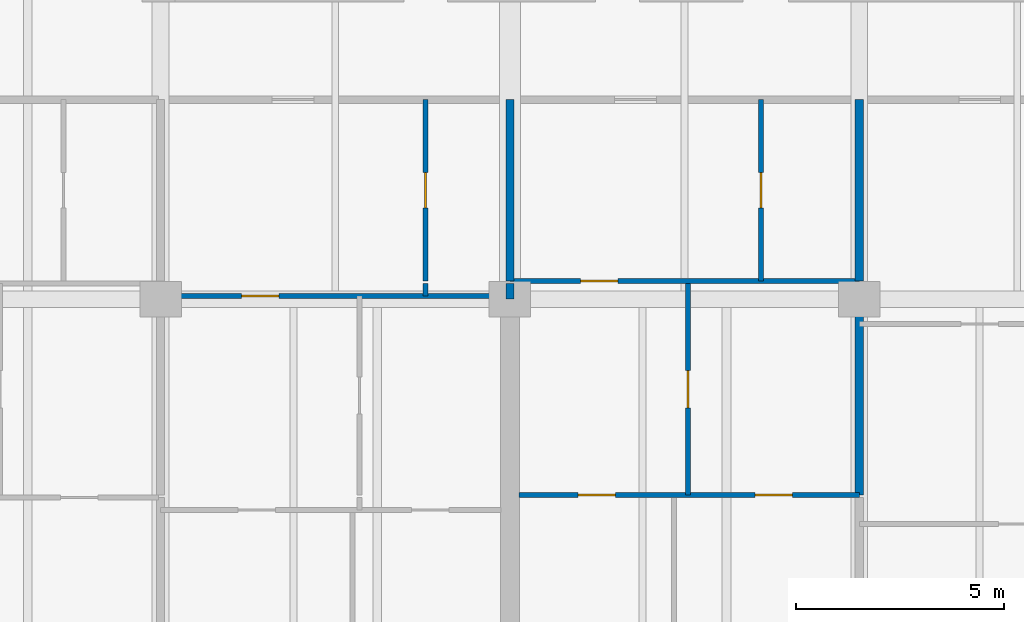
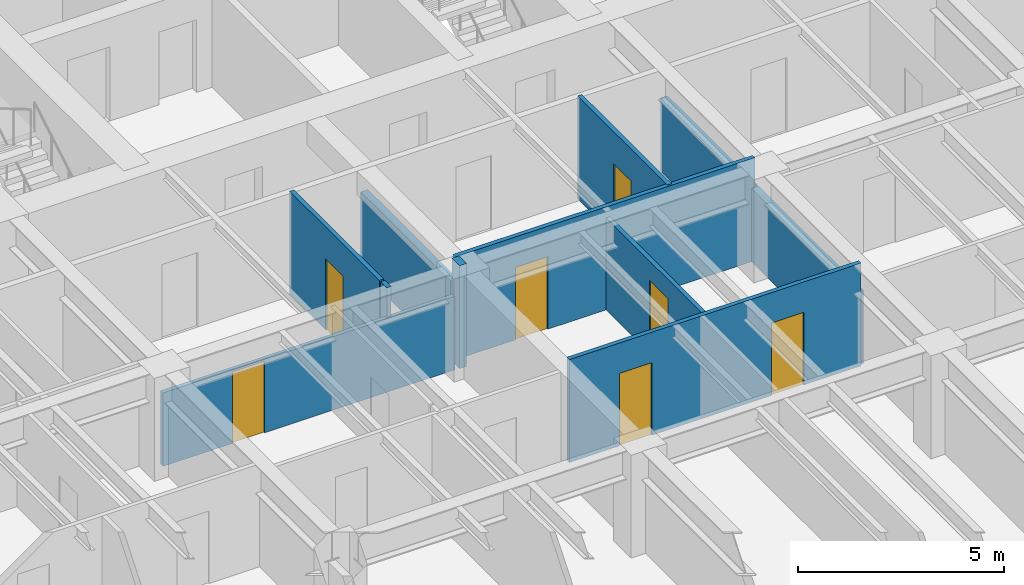
# One storey, part 7 of 16: 11 walls, 7 doors, 7 openings.
"""IFC4 building model written with IfcOpenShell, lengths in metres."""

import ifcopenshell
import ifcopenshell.guid

model = None  # the IFC model being written
_history = None  # IfcOwnerHistory: only IFC2X3 demands one
_inside = {}  # id of a spatial element -> (the spatial element, [elements in it])
_under = {}  # id of a project, library or spatial element -> (it, [spatial elements below it])
_declared = {}  # id of a project -> (the project, [libraries it declares])
_typed = {}  # id of a type object -> (the type object, [elements of that type])
_made_of = {}  # id of a material, layer set ... -> (it, [elements and type objects made of it])


def new_model(schema):
    """Start an empty IFC model of exactly this schema.

    Asked for "IFC4X3", IfcOpenShell would pick the latest addendum, in which some entities
    have other attributes; the version numbers below select the first issue.
    IFC2X3 requires an IfcOwnerHistory on every rooted entity: one is made here for all.
    """
    global model, _history
    if schema == "IFC4X3":
        model = ifcopenshell.file(schema_version=(4, 3, 0, 0))
    else:
        model = ifcopenshell.file(schema=schema)
    _inside.clear()
    _under.clear()
    _declared.clear()
    _typed.clear()
    _made_of.clear()
    _history = None
    if model.schema == "IFC2X3":
        org = make("IfcOrganization", Name="unknown")
        user = make(
            "IfcPersonAndOrganization",
            ThePerson=make("IfcPerson", FamilyName="unknown"),
            TheOrganization=org,
        )
        app = make(
            "IfcApplication",
            ApplicationDeveloper=org,
            Version="unknown",
            ApplicationFullName="unknown",
            ApplicationIdentifier="unknown",
        )
        _history = make(
            "IfcOwnerHistory",
            OwningUser=user,
            OwningApplication=app,
            ChangeAction="ADDED",
            CreationDate=0,
        )
    return model


def make(cls, **values):
    """One entity of the class cls with the attributes given. An attribute that is None is left unset."""
    return model.create_entity(
        cls, **{name: value for name, value in values.items() if value is not None}
    )


def rooted(cls, **values):
    """An entity with a GlobalId (a new one), such as an element, a storey or a relation."""
    return make(cls, GlobalId=ifcopenshell.guid.new(), OwnerHistory=_history, **values)


def si_unit(unit_type, name, prefix=None):
    """IfcSIUnit, for example si_unit("LENGTHUNIT", "METRE", prefix="MILLI")."""
    return make("IfcSIUnit", UnitType=unit_type, Prefix=prefix, Name=name)


def assignment(units):
    """IfcUnitAssignment: the units of a project."""
    return None if units is None else make("IfcUnitAssignment", Units=units)


def point(xyz):
    """IfcCartesianPoint."""
    return None if xyz is None else make("IfcCartesianPoint", Coordinates=xyz)


def direction(xyz):
    """IfcDirection."""
    return None if xyz is None else make("IfcDirection", DirectionRatios=xyz)


def frame(location, z_axis=None, x_axis=None):
    """IfcAxis2Placement3D, a coordinate frame: its origin and axes. An axis left out is left unset."""
    return make(
        "IfcAxis2Placement3D",
        Location=point(location),
        Axis=direction(z_axis),
        RefDirection=direction(x_axis),
    )


def frame_2d(location, x_axis=None):
    """IfcAxis2Placement2D, a coordinate frame in the plane: its origin and x axis."""
    return make(
        "IfcAxis2Placement2D", Location=point(location), RefDirection=direction(x_axis)
    )


def origin():
    """The frame at (0, 0, 0) with its axes left unset."""
    return frame((0.0, 0.0, 0.0))


def place(relative_to, where):
    """IfcLocalPlacement: puts the frame where relative to a parent placement (None: the world)."""
    return make(
        "IfcLocalPlacement", PlacementRelTo=relative_to, RelativePlacement=where
    )


def context(
    kind, dimensions, precision=None, world=None, true_north=None, identifier=None
):
    """IfcGeometricRepresentationContext, for example the 3D "Model" context."""
    return make(
        "IfcGeometricRepresentationContext",
        ContextIdentifier=identifier,
        ContextType=kind,
        CoordinateSpaceDimension=dimensions,
        Precision=precision,
        WorldCoordinateSystem=world,
        TrueNorth=true_north,
    )


def subcontext(parent, identifier, kind, view, scale=None):
    """IfcGeometricRepresentationSubContext, for example "Body" below "Model"."""
    return make(
        "IfcGeometricRepresentationSubContext",
        ContextIdentifier=identifier,
        ContextType=kind,
        ParentContext=parent,
        TargetScale=scale,
        TargetView=view,
    )


def project(units=None, contexts=None):
    """IfcProject with its units and contexts."""
    return rooted(
        "IfcProject",
        Name="project",
        RepresentationContexts=contexts,
        UnitsInContext=assignment(units),
    )


def spatial(cls, under=None, at=None, **own):
    """A site, building, storey or space (cls), placed at a placement, below another one or the project."""
    s = rooted(cls, ObjectPlacement=at, **own)
    if under is not None:
        _under.setdefault(under.id(), (under, []))[1].append(s)
    return s


def profile(cls, at=None, kind="AREA", **sizes):
    """A parametric profile (cls). Its sizes go by their IFC names, for example OverallWidth=200.0."""
    return make(cls, ProfileType=kind, Position=at, **sizes)


def rectangle(**sizes):
    """IfcRectangleProfileDef."""
    return profile("IfcRectangleProfileDef", **sizes)


def extrude(swept, where, along, depth):
    """IfcExtrudedAreaSolid: the profile swept, set in the frame where, extruded along a direction by depth."""
    return make(
        "IfcExtrudedAreaSolid",
        SweptArea=swept,
        Position=where,
        ExtrudedDirection=direction(along),
        Depth=depth,
    )


def shape(context_of_items, identifier, shape_type, items):
    """IfcShapeRepresentation: the items that make up one representation, for example the "Body"."""
    return make(
        "IfcShapeRepresentation",
        ContextOfItems=context_of_items,
        RepresentationIdentifier=identifier,
        RepresentationType=shape_type,
        Items=items,
    )


def material(Name=None, Category=None):
    """IfcMaterial."""
    return make("IfcMaterial", Name=Name, Category=Category)


def layer(
    of_material, thickness, ventilated=None, Name=None, Category=None, Priority=None
):
    """IfcMaterialLayer: one layer of a wall or slab, of a material (None: an air gap)."""
    return make(
        "IfcMaterialLayer",
        Material=of_material,
        LayerThickness=thickness,
        IsVentilated=ventilated,
        Name=Name,
        Category=Category,
        Priority=Priority,
    )


def layer_set(layers, Name=None):
    """IfcMaterialLayerSet."""
    return make("IfcMaterialLayerSet", MaterialLayers=layers, LayerSetName=Name)


def made_of(thing, what):
    """Note that an element or type object is made of a material, layer set ...; save() writes the relation."""
    if what is not None:
        _made_of.setdefault(what.id(), (what, []))[1].append(thing)
    return thing


def type_object(cls, material=None, **own):
    """A type object (cls), such as IfcWallType, which elements share."""
    return made_of(rooted(cls, **own), material)


def element(
    cls,
    number,
    at=None,
    inside=None,
    cuts=None,
    type_object=None,
    material=None,
    context=None,
    identifier="Body",
    shape_type=None,
    held_by="IfcProductDefinitionShape",
    body=None,
    shapes=None,
    **own,
):
    """One element of the class cls, such as IfcWall. Its Tag is "e" and its number.

    at: its placement. inside: the storey or other place that contains it. cuts: it is an
    opening in that element (IfcRelVoidsElement). A single representation is given by context,
    identifier, shape_type and body (its items); several are given by shapes. held_by: the class
    of the entity that holds the representations. save() writes the other relations.
    """
    e = rooted(cls, Tag="e%d" % number, ObjectPlacement=at, **own)
    if body is not None:
        shapes = [shape(context, identifier, shape_type, body)]
    if shapes is not None:
        e.Representation = make(held_by, Representations=shapes)
    if inside is not None:
        _inside.setdefault(inside.id(), (inside, []))[1].append(e)
    if cuts is not None:
        rooted(
            "IfcRelVoidsElement", RelatingBuildingElement=cuts, RelatedOpeningElement=e
        )
    if type_object is not None:
        _typed.setdefault(type_object.id(), (type_object, []))[1].append(e)
    return made_of(e, material)


def fill(opening, filler):
    """IfcRelFillsElement: the door or window that sits in an opening."""
    return rooted(
        "IfcRelFillsElement",
        RelatingOpeningElement=opening,
        RelatedBuildingElement=filler,
    )


def aggregate(whole, parts):
    """IfcRelAggregates: a whole, such as a stair, and the parts it consists of."""
    return rooted("IfcRelAggregates", RelatingObject=whole, RelatedObjects=parts)


def save(model, path):
    """Write the relations noted so far, then the file.

    IfcRelAggregates (storeys below a building ...), IfcRelContainedInSpatialStructure (elements
    in a storey), IfcRelDefinesByType, IfcRelAssociatesMaterial and IfcRelDeclares: one each for
    every whole, place, type object, material and project.
    """
    for whole, parts in _under.values():
        aggregate(whole, parts)
    for where, things in _inside.values():
        rooted(
            "IfcRelContainedInSpatialStructure",
            RelatedElements=things,
            RelatingStructure=where,
        )
    for kind, things in _typed.values():
        rooted("IfcRelDefinesByType", RelatedObjects=things, RelatingType=kind)
    for what, things in _made_of.values():
        rooted("IfcRelAssociatesMaterial", RelatedObjects=things, RelatingMaterial=what)
    for by, libraries in _declared.values():
        rooted("IfcRelDeclares", RelatingContext=by, RelatedDefinitions=libraries)
    model.write(path)


model = new_model("IFC4")

# Units and contexts
model_context = context("Model", 3, precision=1e-05, world=origin(), true_north=direction((0.0, 1.0)))
body_context = subcontext(model_context, "Body", "Model", "MODEL_VIEW")
ifc_project = project(units=[si_unit("LENGTHUNIT", "METRE"), si_unit("AREAUNIT", "SQUARE_METRE"), si_unit("VOLUMEUNIT", "CUBIC_METRE"), si_unit("PLANEANGLEUNIT", "RADIAN"), si_unit("MASSUNIT", "GRAM", prefix="KILO")], contexts=[model_context])

# Site, building, storey
site_placement = place(None, origin())
site = spatial("IfcSite", under=ifc_project, at=site_placement, CompositionType="ELEMENT")
building_placement = place(site_placement, origin())
building = spatial("IfcBuilding", under=site, at=building_placement, Name="Caelmar Bay Residences", CompositionType="ELEMENT")
storey_placement = place(building_placement, frame((0.0, 0.0, 142.199951171875)))
storey = spatial("IfcBuildingStorey", under=building, at=storey_placement, Name="L39", CompositionType="ELEMENT", Elevation=142.199951171875)

# Wall
ifc_material_1 = material(Name="Acoustic metal-stud gypsum partition 120 mm")
ifc_layer_1 = layer(ifc_material_1, 0.1201171875)
ifc_layer_set_1 = layer_set([ifc_layer_1], Name="Acoustic metal-stud gypsum partition 120 mm")
wall_type_1 = type_object("IfcWallType", Name="W-PRT-120", PredefinedType="PARTITIONING", material=ifc_layer_set_1)
wall_1_placement = place(storey_placement, frame((24.666015625, 29.47998046875, 0.0), z_axis=(0.0, 0.0, 1.0), x_axis=(0.0, 1.0, 0.0)))
element("IfcWall", 1, at=wall_1_placement, inside=storey, type_object=wall_type_1, Name="L39 Partition Wall V026", PredefinedType="PARTITIONING", context=body_context, shape_type="SweptSolid", body=[
    extrude(rectangle(XDim=0.300048828125, YDim=0.1201171875, at=frame_2d((0.14990234375, 0.0))), origin(), (0.0, 0.0, 1.0), 3.050048828125),
])

# Wall, opening, door
wall_2_placement = place(storey_placement, frame((24.666015625, 29.840087890625, 0.0), z_axis=(0.0, 0.0, 1.0), x_axis=(0.0, 1.0, 0.0)))
wall_2 = element("IfcWall", 2, at=wall_2_placement, inside=storey, type_object=wall_type_1, Name="L39 Partition Wall V027", PredefinedType="PARTITIONING", context=body_context, shape_type="SweptSolid", body=[
    extrude(rectangle(XDim=4.35986328125, YDim=0.1201171875, at=frame_2d((2.179931640625, 0.0))), origin(), (0.0, 0.0, 1.0), 3.050048828125),
])
opening_1_placement = place(wall_2_placement, frame((1.7548828125, 0.0, 0.0)))
opening_1 = element("IfcOpeningElement", 3, at=opening_1_placement, cuts=wall_2, Name="Opening D-L39-130", PredefinedType="OPENING", context=body_context, shape_type="SweptSolid", body=[
    extrude(rectangle(XDim=0.85009765625, YDim=2.10009765625, at=frame_2d((0.425048828125, 1.050048828125))), frame((0.0, 0.070068359375, 0.0), z_axis=(0.0, -1.0, 0.0), x_axis=(1.0, 0.0, 0.0)), (0.0, 0.0, 1.0), 0.14013671875),
])
ifc_material_2 = material(Name="Solid walnut timber interior door leaf and frame", Category="wood")
ifc_layer_2 = layer(ifc_material_2, 0.050048828125)
ifc_layer_set_2 = layer_set([ifc_layer_2], Name="Solid walnut timber interior door leaf and frame")
door_type_1 = type_object("IfcDoorType", Name="D-BATH-850", OperationType="NOTDEFINED", PredefinedType="DOOR", material=ifc_layer_set_2)
door_1_placement = place(opening_1_placement, origin())
door_1 = element("IfcDoor", 4, at=door_1_placement, inside=storey, type_object=door_type_1, Name="L39 Residence 02 Bathroom Door", OperationType="SINGLE_SWING_RIGHT", OverallHeight=2.10009765625, OverallWidth=0.85009765625, PredefinedType="DOOR", context=body_context, shape_type="SweptSolid", body=[
    extrude(rectangle(XDim=0.85009765625, YDim=2.10009765625, at=frame_2d((0.425048828125, 1.050048828125))), frame((0.0, 0.02490234375, 0.0), z_axis=(0.0, -1.0, 0.0), x_axis=(1.0, 0.0, 0.0)), (0.0, 0.0, 1.0), 0.050048828125),
])
fill(opening_1, door_1)

wall_3_placement = place(storey_placement, frame((30.986083984375, 24.68994140625, 0.0), z_axis=(0.0, 0.0, 1.0), x_axis=(0.0, 1.0, 0.0)))
wall_3 = element("IfcWall", 5, at=wall_3_placement, inside=storey, type_object=wall_type_1, Name="L39 Partition Wall V037", PredefinedType="PARTITIONING", context=body_context, shape_type="SweptSolid", body=[
    extrude(rectangle(XDim=5.090087890625, YDim=0.1201171875, at=frame_2d((2.544921875, 0.0))), origin(), (0.0, 0.0, 1.0), 2.72509765625),
])
opening_2_placement = place(wall_3_placement, frame((2.094970703125, 0.0, 0.0)))
opening_2 = element("IfcOpeningElement", 6, at=opening_2_placement, cuts=wall_3, Name="Opening D-L39-139", PredefinedType="OPENING", context=body_context, shape_type="SweptSolid", body=[
    extrude(rectangle(XDim=0.89990234375, YDim=2.14990234375, at=frame_2d((0.449951171875, 1.074951171875))), frame((0.0, 0.070068359375, 0.0), z_axis=(0.0, -1.0, 0.0), x_axis=(1.0, 0.0, 0.0)), (0.0, 0.0, 1.0), 0.14013671875),
])
ifc_layer_3 = layer(ifc_material_2, 0.050048828125)
ifc_layer_set_3 = layer_set([ifc_layer_3], Name="Solid walnut timber interior door leaf and frame")
door_type_2 = type_object("IfcDoorType", Name="D-ROOM-900", OperationType="NOTDEFINED", PredefinedType="DOOR", material=ifc_layer_set_3)
door_2_placement = place(opening_2_placement, origin())
door_2 = element("IfcDoor", 7, at=door_2_placement, inside=storey, type_object=door_type_2, Name="L39 Residence 03 Curator Office Door", OperationType="SINGLE_SWING_LEFT", OverallHeight=2.14990234375, OverallWidth=0.89990234375, PredefinedType="DOOR", context=body_context, shape_type="SweptSolid", body=[
    extrude(rectangle(XDim=0.89990234375, YDim=2.14990234375, at=frame_2d((0.449951171875, 1.074951171875))), frame((0.0, 0.02490234375, 0.0), z_axis=(0.0, -1.0, 0.0), x_axis=(1.0, 0.0, 0.0)), (0.0, 0.0, 1.0), 0.050048828125),
])
fill(opening_2, door_2)

wall_4_placement = place(storey_placement, frame((32.738037109375, 29.840087890625, 0.0), z_axis=(0.0, 0.0, 1.0), x_axis=(0.0, 1.0, 0.0)))
wall_4 = element("IfcWall", 8, at=wall_4_placement, inside=storey, type_object=wall_type_1, Name="L39 Partition Wall V039", PredefinedType="PARTITIONING", context=body_context, shape_type="SweptSolid", body=[
    extrude(rectangle(XDim=4.35986328125, YDim=0.1201171875, at=frame_2d((2.179931640625, 0.0))), origin(), (0.0, 0.0, 1.0), 3.050048828125),
])
opening_3_placement = place(wall_4_placement, frame((1.7548828125, 0.0, 0.0)))
opening_3 = element("IfcOpeningElement", 9, at=opening_3_placement, cuts=wall_4, Name="Opening D-L39-137", PredefinedType="OPENING", context=body_context, shape_type="SweptSolid", body=[
    extrude(rectangle(XDim=0.85009765625, YDim=2.10009765625, at=frame_2d((0.425048828125, 1.050048828125))), frame((0.0, 0.070068359375, 0.0), z_axis=(0.0, -1.0, 0.0), x_axis=(1.0, 0.0, 0.0)), (0.0, 0.0, 1.0), 0.14013671875),
])
door_3_placement = place(opening_3_placement, origin())
door_3 = element("IfcDoor", 10, at=door_3_placement, inside=storey, type_object=door_type_1, Name="L39 Residence 03 Bathroom Door", OperationType="SINGLE_SWING_LEFT", OverallHeight=2.10009765625, OverallWidth=0.85009765625, PredefinedType="DOOR", context=body_context, shape_type="SweptSolid", body=[
    extrude(rectangle(XDim=0.85009765625, YDim=2.10009765625, at=frame_2d((0.425048828125, 1.050048828125))), frame((0.0, 0.02490234375, 0.0), z_axis=(0.0, -1.0, 0.0), x_axis=(1.0, 0.0, 0.0)), (0.0, 0.0, 1.0), 0.050048828125),
])
fill(opening_3, door_3)

# Wall, openings, doors
wall_5_placement = place(storey_placement, frame((26.919921875, 24.68994140625, 0.0), z_axis=(0.0, 0.0, 1.0), x_axis=(1.0, 0.0, 0.0)))
wall_5 = element("IfcWall", 11, at=wall_5_placement, inside=storey, type_object=wall_type_1, Name="L39 Partition Wall H099", PredefinedType="PARTITIONING", context=body_context, shape_type="SweptSolid", body=[
    extrude(rectangle(XDim=8.18017578125, YDim=0.1201171875, at=frame_2d((4.090087890625, 0.0))), origin(), (0.0, 0.0, 1.0), 3.050048828125),
])
opening_4_placement = place(wall_5_placement, frame((1.4140625, 0.0, 0.0)))
opening_4 = element("IfcOpeningElement", 12, at=opening_4_placement, cuts=wall_5, Name="Opening D-L39-140", PredefinedType="OPENING", context=body_context, shape_type="SweptSolid", body=[
    extrude(rectangle(XDim=0.89990234375, YDim=2.14990234375, at=frame_2d((0.449951171875, 1.074951171875))), frame((0.0, 0.070068359375, 0.0), z_axis=(0.0, -1.0, 0.0), x_axis=(1.0, 0.0, 0.0)), (0.0, 0.0, 1.0), 0.14013671875),
])
opening_5_placement = place(wall_5_placement, frame((5.673095703125, 0.0, 0.0)))
opening_5 = element("IfcOpeningElement", 13, at=opening_5_placement, cuts=wall_5, Name="Opening D-L39-141", PredefinedType="OPENING", context=body_context, shape_type="SweptSolid", body=[
    extrude(rectangle(XDim=0.89990234375, YDim=2.14990234375, at=frame_2d((0.449951171875, 1.074951171875))), frame((0.0, 0.070068359375, 0.0), z_axis=(0.0, -1.0, 0.0), x_axis=(1.0, 0.0, 0.0)), (0.0, 0.0, 1.0), 0.14013671875),
])
door_4_placement = place(opening_4_placement, origin())
door_4 = element("IfcDoor", 14, at=door_4_placement, inside=storey, type_object=door_type_2, Name="L39 Residence 03 Living Room Door", OperationType="SINGLE_SWING_RIGHT", OverallHeight=2.14990234375, OverallWidth=0.89990234375, PredefinedType="DOOR", context=body_context, shape_type="SweptSolid", body=[
    extrude(rectangle(XDim=0.89990234375, YDim=2.14990234375, at=frame_2d((0.449951171875, 1.074951171875))), frame((0.0, 0.02490234375, 0.0), z_axis=(0.0, -1.0, 0.0), x_axis=(1.0, 0.0, 0.0)), (0.0, 0.0, 1.0), 0.050048828125),
])
fill(opening_4, door_4)
door_5_placement = place(opening_5_placement, origin())
door_5 = element("IfcDoor", 15, at=door_5_placement, inside=storey, type_object=door_type_2, Name="L39 Residence 03 Penthouse Sitting Room Door", OperationType="SINGLE_SWING_LEFT", OverallHeight=2.14990234375, OverallWidth=0.89990234375, PredefinedType="DOOR", context=body_context, shape_type="SweptSolid", body=[
    extrude(rectangle(XDim=0.89990234375, YDim=2.14990234375, at=frame_2d((0.449951171875, 1.074951171875))), frame((0.0, 0.02490234375, 0.0), z_axis=(0.0, -1.0, 0.0), x_axis=(1.0, 0.0, 0.0)), (0.0, 0.0, 1.0), 0.050048828125),
])
fill(opening_5, door_5)

# Wall, opening, door
wall_6_placement = place(storey_placement, frame((18.300048828125, 29.47998046875, 0.0), z_axis=(0.0, 0.0, 1.0), x_axis=(1.0, 0.0, 0.0)))
wall_6 = element("IfcWall", 16, at=wall_6_placement, inside=storey, type_object=wall_type_1, Name="L39 Partition Wall H104", PredefinedType="PARTITIONING", context=body_context, shape_type="SweptSolid", body=[
    extrude(rectangle(XDim=8.179931640625, YDim=0.1201171875, at=frame_2d((4.08984375, 0.0))), origin(), (0.0, 0.0, 1.0), 2.174072265625),
])
opening_6_placement = place(wall_6_placement, frame((1.943115234375, 0.0, 0.0)))
opening_6 = element("IfcOpeningElement", 17, at=opening_6_placement, cuts=wall_6, Name="Opening D-L39-131", PredefinedType="OPENING", context=body_context, shape_type="SweptSolid", body=[
    extrude(rectangle(XDim=0.89990234375, YDim=2.1240234375, at=frame_2d((0.449951171875, 1.06201171875))), frame((0.0, 0.070068359375, 0.0), z_axis=(0.0, -1.0, 0.0), x_axis=(1.0, 0.0, 0.0)), (0.0, 0.0, 1.0), 0.14013671875),
])
door_6_placement = place(opening_6_placement, origin())
door_6 = element("IfcDoor", 18, at=door_6_placement, inside=storey, type_object=door_type_2, Name="L39 Residence 02 Kitchen Door", OperationType="SINGLE_SWING_LEFT", OverallHeight=2.1240234375, OverallWidth=0.89990234375, PredefinedType="DOOR", context=body_context, shape_type="SweptSolid", body=[
    extrude(rectangle(XDim=0.89990234375, YDim=2.1240234375, at=frame_2d((0.449951171875, 1.06201171875))), frame((0.0, 0.02490234375, 0.0), z_axis=(0.0, -1.0, 0.0), x_axis=(1.0, 0.0, 0.0)), (0.0, 0.0, 1.0), 0.050048828125),
])
fill(opening_6, door_6)

wall_7_placement = place(storey_placement, frame((26.699951171875, 29.840087890625, 0.0), z_axis=(0.0, 0.0, 1.0), x_axis=(1.0, 0.0, 0.0)))
wall_7 = element("IfcWall", 19, at=wall_7_placement, inside=storey, type_object=wall_type_1, Name="L39 Partition Wall H106", PredefinedType="PARTITIONING", context=body_context, shape_type="SweptSolid", body=[
    extrude(rectangle(XDim=8.400146484375, YDim=0.1201171875, at=frame_2d((4.2001953125, 0.0))), origin(), (0.0, 0.0, 1.0), 3.050048828125),
])
opening_7_placement = place(wall_7_placement, frame((1.693115234375, 0.0, 0.0)))
opening_7 = element("IfcOpeningElement", 20, at=opening_7_placement, cuts=wall_7, Name="Opening D-L39-138", PredefinedType="OPENING", context=body_context, shape_type="SweptSolid", body=[
    extrude(rectangle(XDim=0.89990234375, YDim=2.14990234375, at=frame_2d((0.449951171875, 1.074951171875))), frame((0.0, 0.070068359375, 0.0), z_axis=(0.0, -1.0, 0.0), x_axis=(1.0, 0.0, 0.0)), (0.0, 0.0, 1.0), 0.14013671875),
])
door_7_placement = place(opening_7_placement, origin())
door_7 = element("IfcDoor", 21, at=door_7_placement, inside=storey, type_object=door_type_2, Name="L39 Residence 03 Kitchen Door", OperationType="SINGLE_SWING_RIGHT", OverallHeight=2.14990234375, OverallWidth=0.89990234375, PredefinedType="DOOR", context=body_context, shape_type="SweptSolid", body=[
    extrude(rectangle(XDim=0.89990234375, YDim=2.14990234375, at=frame_2d((0.449951171875, 1.074951171875))), frame((0.0, 0.02490234375, 0.0), z_axis=(0.0, -1.0, 0.0), x_axis=(1.0, 0.0, 0.0)), (0.0, 0.0, 1.0), 0.050048828125),
])
fill(opening_7, door_7)

# Walls
ifc_material_3 = material(Name="Acoustic twin-stud fire-rated inter-tenancy partition 200 mm")
ifc_layer_4 = layer(ifc_material_3, 0.199951171875)
ifc_layer_set_4 = layer_set([ifc_layer_4], Name="Acoustic twin-stud fire-rated inter-tenancy partition 200 mm")
wall_type_2 = type_object("IfcWallType", Name="W-PTY-200", PredefinedType="PARTITIONING", material=ifc_layer_set_4)
wall_8_placement = place(storey_placement, frame((26.699951171875, 29.405029296875, 0.0), z_axis=(0.0, 0.0, 1.0), x_axis=(0.0, 1.0, 0.0)))
element("IfcWall", 22, at=wall_8_placement, inside=storey, type_object=wall_type_2, Name="L39 Partition Wall V031", PredefinedType="PARTITIONING", context=body_context, shape_type="SweptSolid", body=[
    extrude(rectangle(XDim=0.375, YDim=0.199951171875, at=frame_2d((0.1875, 0.0))), origin(), (0.0, 0.0, 1.0), 3.050048828125),
])
wall_9_placement = place(storey_placement, frame((26.699951171875, 29.840087890625, 0.0), z_axis=(0.0, 0.0, 1.0), x_axis=(0.0, 1.0, 0.0)))
element("IfcWall", 23, at=wall_9_placement, inside=storey, type_object=wall_type_2, Name="L39 Partition Wall V032", PredefinedType="PARTITIONING", context=body_context, shape_type="SweptSolid", body=[
    extrude(rectangle(XDim=4.35986328125, YDim=0.199951171875, at=frame_2d((2.179931640625, 0.0))), origin(), (0.0, 0.0, 1.0), 2.3349609375),
])
wall_10_placement = place(storey_placement, frame((35.10009765625, 24.68994140625, 0.0), z_axis=(0.0, 0.0, 1.0), x_axis=(0.0, 1.0, 0.0)))
element("IfcWall", 24, at=wall_10_placement, inside=storey, type_object=wall_type_2, Name="L39 Partition Wall V042", PredefinedType="PARTITIONING", context=body_context, shape_type="SweptSolid", body=[
    extrude(rectangle(XDim=5.090087890625, YDim=0.199951171875, at=frame_2d((2.544921875, 0.0))), origin(), (0.0, 0.0, 1.0), 2.174072265625),
])
wall_11_placement = place(storey_placement, frame((35.10009765625, 29.840087890625, 0.0), z_axis=(0.0, 0.0, 1.0), x_axis=(0.0, 1.0, 0.0)))
element("IfcWall", 25, at=wall_11_placement, inside=storey, type_object=wall_type_2, Name="L39 Partition Wall V043", PredefinedType="PARTITIONING", context=body_context, shape_type="SweptSolid", body=[
    extrude(rectangle(XDim=4.35986328125, YDim=0.199951171875, at=frame_2d((2.179931640625, 0.0))), origin(), (0.0, 0.0, 1.0), 2.174072265625),
])

save(model, "model.ifc")
